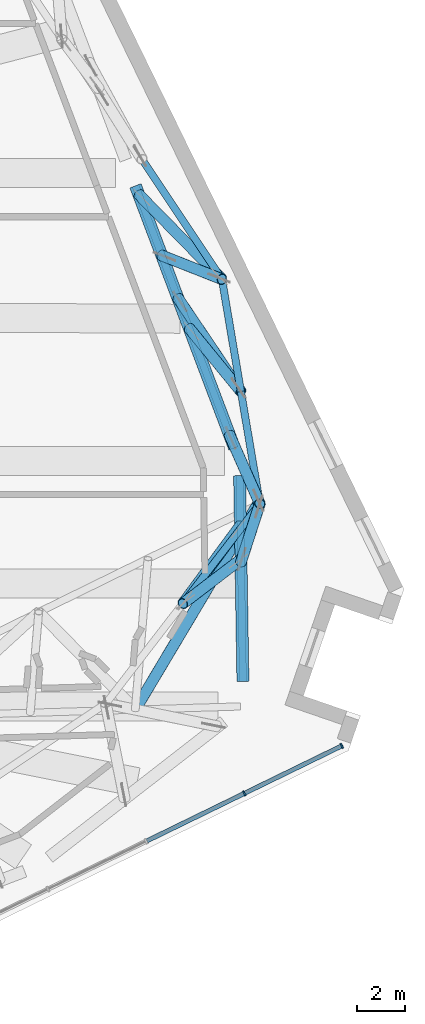
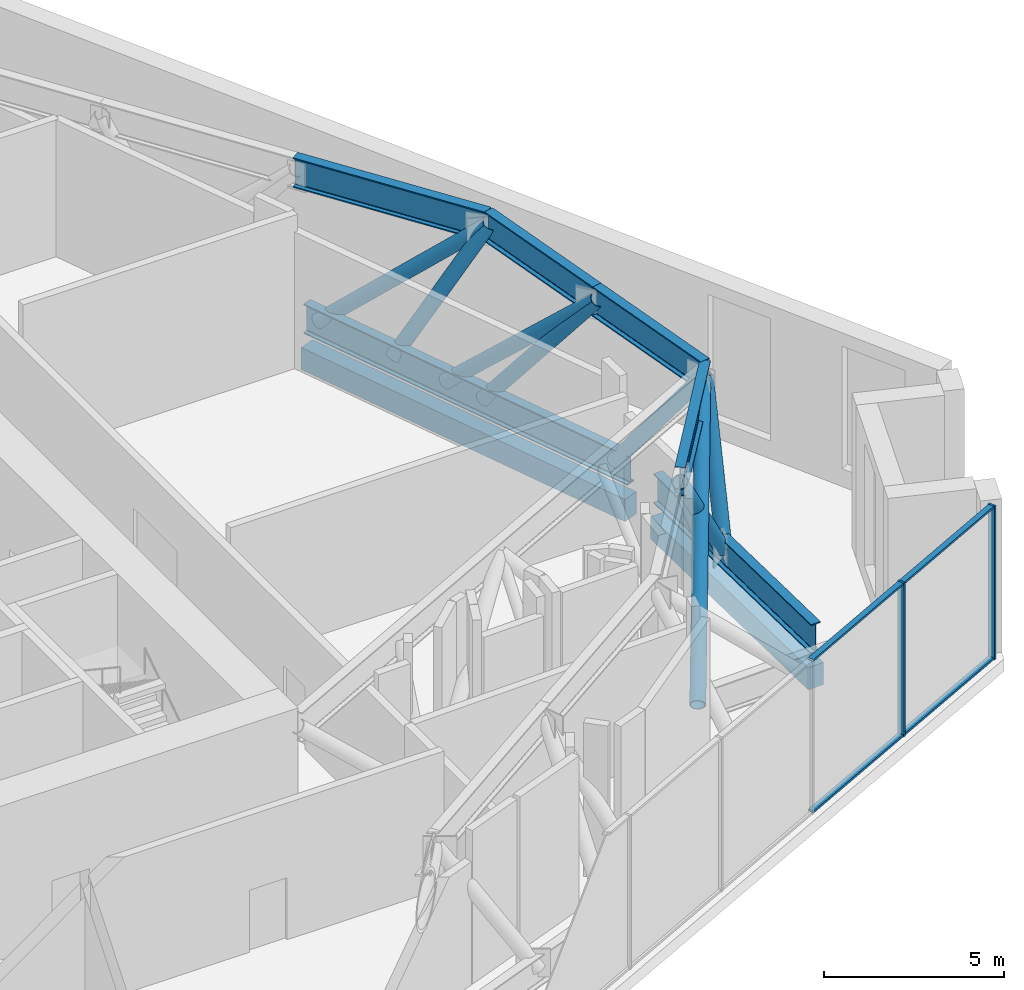
# One storey, part 7 of 21: 15 members, 8 beams, 1 element without a shape of its own.
"""IFC4 building model written with IfcOpenShell, lengths in metres."""

from ifc_helpers import new_model, si_unit, direction, frame, origin, origin_2d, place, context, subcontext, project, spatial, rectangle, hollow_circle, i_section, extrude, material, material_profile, profile_set, type_object, element, aggregate, save


model = new_model("IFC4")

# Units and contexts
model_context = context("Model", 3, precision=1e-05, world=origin(), true_north=direction((0.0, 1.0)))
body_context = subcontext(model_context, "Body", "Model", "MODEL_VIEW")
ifc_project = project(units=[si_unit("LENGTHUNIT", "METRE"), si_unit("AREAUNIT", "SQUARE_METRE"), si_unit("VOLUMEUNIT", "CUBIC_METRE"), si_unit("PLANEANGLEUNIT", "RADIAN"), si_unit("MASSUNIT", "GRAM", prefix="KILO")], contexts=[model_context])

# Site, building, storey
site_placement = place(None, origin())
site = spatial("IfcSite", under=ifc_project, at=site_placement, CompositionType="ELEMENT")
building_placement = place(site_placement, origin())
building = spatial("IfcBuilding", under=site, at=building_placement, Name="Dilmun Exchange Tower", CompositionType="ELEMENT")
storey_placement = place(building_placement, frame((0.0, 0.0, 130.10009765625)))
storey = spatial("IfcBuildingStorey", under=building, at=storey_placement, Name="L30", CompositionType="ELEMENT", Elevation=130.10009765625)

# Beams
ifc_material_1 = material(Name="Concrete C40/50", Category="concrete")
ifc_material_profile_1 = material_profile(ifc_material_1, rectangle(XDim=0.5, YDim=0.75, at=origin_2d()), Name="500 x 750")
ifc_profile_set_1 = profile_set([ifc_material_profile_1], Name="Concrete C40/50")
beam_type_1 = type_object("IfcBeamType", Name="RC ring beam 500 x 750 C40/50", PredefinedType="SPANDREL", material=ifc_profile_set_1)
beam_1_placement = place(storey_placement, frame((30.37744140625, -11.33544921875, -0.795166015625), z_axis=(-0.016054357527, 0.999871120497, 0.0), x_axis=(-0.999871120497, -0.016054357527, 0.0)))
element("IfcBeam", 1, at=beam_1_placement, inside=storey, type_object=beam_type_1, Name="Ring beam 13", PredefinedType="SPANDREL", context=body_context, shape_type="SweptSolid", body=[
    extrude(rectangle(XDim=0.5, YDim=0.75, at=origin_2d()), origin(), (0.0, 0.0, 1.0), 8.515869140625),
])
beam_2_placement = place(storey_placement, frame((30.028564453125, -1.674072265625, -0.795166015625), z_axis=(-0.353349831573, 0.935491259461, 0.0), x_axis=(-0.935491259461, -0.353349831573, 0.0)))
element("IfcBeam", 2, at=beam_2_placement, inside=storey, type_object=beam_type_1, Name="Ring beam 14", PredefinedType="SPANDREL", context=body_context, shape_type="SweptSolid", body=[
    extrude(rectangle(XDim=0.5, YDim=0.75, at=origin_2d()), origin(), (0.0, 0.0, 1.0), 11.603515625),
])

# Curtain wall, members
ifc_material_2 = material(Name="Anodised aluminium and clear glass", Category="aluminium")
curtain_wall_type = type_object("IfcCurtainWallType", Name="Sky lobby glazing", PredefinedType="NOTDEFINED", material=ifc_material_2)
curtain_wall_placement = place(storey_placement, origin())
curtain_wall = element("IfcCurtainWall", 3, at=curtain_wall_placement, inside=storey, type_object=curtain_wall_type, Name="Sky lobby glazing run SL16", PredefinedType="NOTDEFINED")
ifc_material_3 = material(Name="Anodised aluminium", Category="aluminium")
ifc_material_profile_2 = material_profile(ifc_material_3, rectangle(XDim=0.219970703125, YDim=0.070068359375, at=origin_2d()), Name="AL 70x220")
ifc_profile_set_2 = profile_set([ifc_material_profile_2], Name="Anodised aluminium")
member_type_1 = type_object("IfcMemberType", Name="Sky lobby glazing mullion 70 x 220", PredefinedType="MULLION", material=ifc_profile_set_2)
member_1_placement = place(storey_placement, frame((30.435791015625, -15.974609375, 0.0), z_axis=(0.0, 0.0, 1.0), x_axis=(-0.43837119956, 0.898794020561, 0.0)))
member_1 = element("IfcMember", 4, at=member_1_placement, type_object=member_type_1, Name="SL16 mullion 11", PredefinedType="MULLION", context=body_context, shape_type="SweptSolid", body=[
    extrude(rectangle(XDim=0.219970703125, YDim=0.070068359375, at=origin_2d()), origin(), (0.0, 0.0, 1.0), 5.199951171875),
])
member_2_placement = place(storey_placement, frame((34.469482421875, -14.007080078125, 0.0), z_axis=(0.0, 0.0, 1.0), x_axis=(-0.43837119956, 0.898794020561, 0.0)))
member_2 = element("IfcMember", 5, at=member_2_placement, type_object=member_type_1, Name="SL16 mullion 12", PredefinedType="MULLION", context=body_context, shape_type="SweptSolid", body=[
    extrude(rectangle(XDim=0.219970703125, YDim=0.070068359375, at=origin_2d()), origin(), (0.0, 0.0, 1.0), 5.199951171875),
])
ifc_material_profile_3 = material_profile(ifc_material_3, rectangle(XDim=0.179931640625, YDim=0.070068359375, at=origin_2d()), Name="AL 70x180")
ifc_profile_set_3 = profile_set([ifc_material_profile_3], Name="Anodised aluminium")
member_type_2 = type_object("IfcMemberType", Name="Sky lobby glazing transom 70 x 180", PredefinedType="USERDEFINED", material=ifc_profile_set_3)
member_3_placement = place(storey_placement, frame((26.402099609375, -17.94189453125, 0.034912109375), z_axis=(0.89879162819, 0.438376104612, 0.0), x_axis=(-0.438376104612, 0.89879162819, 0.0)))
member_3 = element("IfcMember", 6, at=member_3_placement, type_object=member_type_2, Name="SL16 transom 10.1", ObjectType="TRANSOM", PredefinedType="USERDEFINED", context=body_context, shape_type="SweptSolid", body=[
    extrude(rectangle(XDim=0.179931640625, YDim=0.070068359375, at=origin_2d()), origin(), (0.0, 0.0, 1.0), 4.453125),
])
member_4_placement = place(storey_placement, frame((26.402099609375, -17.94189453125, 5.164794921875), z_axis=(0.89879162819, 0.438376104612, 0.0), x_axis=(-0.438376104612, 0.89879162819, 0.0)))
member_4 = element("IfcMember", 7, at=member_4_placement, type_object=member_type_2, Name="SL16 transom 10.2", ObjectType="TRANSOM", PredefinedType="USERDEFINED", context=body_context, shape_type="SweptSolid", body=[
    extrude(rectangle(XDim=0.179931640625, YDim=0.070068359375, at=origin_2d()), origin(), (0.0, 0.0, 1.0), 4.453125),
])
member_5_placement = place(storey_placement, frame((30.46728515625, -15.959228515625, 0.034912109375), z_axis=(0.89878278516, 0.438394234793, 0.0), x_axis=(-0.438394234793, 0.89878278516, 0.0)))
member_5 = element("IfcMember", 8, at=member_5_placement, type_object=member_type_2, Name="SL16 transom 11.1", ObjectType="TRANSOM", PredefinedType="USERDEFINED", context=body_context, shape_type="SweptSolid", body=[
    extrude(rectangle(XDim=0.179931640625, YDim=0.070068359375, at=origin_2d()), origin(), (0.0, 0.0, 1.0), 4.41796875),
])
member_6_placement = place(storey_placement, frame((30.46728515625, -15.959228515625, 5.164794921875), z_axis=(0.89878278516, 0.438394234793, 0.0), x_axis=(-0.438394234793, 0.89878278516, 0.0)))
member_6 = element("IfcMember", 9, at=member_6_placement, type_object=member_type_2, Name="SL16 transom 11.2", ObjectType="TRANSOM", PredefinedType="USERDEFINED", context=body_context, shape_type="SweptSolid", body=[
    extrude(rectangle(XDim=0.179931640625, YDim=0.070068359375, at=origin_2d()), origin(), (0.0, 0.0, 1.0), 4.41796875),
])
aggregate(curtain_wall, [member_1, member_2, member_3, member_4, member_5, member_6])

# Beams
ifc_material_4 = material(Name="Steel S355", Category="steel")
ifc_material_profile_4 = material_profile(ifc_material_4, i_section(OverallWidth=0.300048828125, OverallDepth=1.0, WebThickness=0.01904296875, FlangeThickness=0.035888671875, FilletRadius=0.030029296875, at=origin_2d()), Name="HEB 1000")
ifc_profile_set_4 = profile_set([ifc_material_profile_4], Name="Steel S355")
beam_type_2 = type_object("IfcBeamType", Name="belt bottom chord HEB 1000", PredefinedType="BEAM", material=ifc_profile_set_4)
beam_3_placement = place(storey_placement, frame((30.37744140625, -11.33544921875, 0.5), z_axis=(-0.016054357527, 0.999871120497, 0.0), x_axis=(-0.999871120497, -0.016054357527, 0.0)))
element("IfcBeam", 10, at=beam_3_placement, inside=storey, type_object=beam_type_2, Name="Belt bottom chord 13", PredefinedType="BEAM", context=body_context, shape_type="SweptSolid", body=[
    extrude(i_section(OverallWidth=0.300048828125, OverallDepth=1.0, WebThickness=0.01904296875, FlangeThickness=0.035888671875, FilletRadius=0.030029296875, at=origin_2d()), origin(), (0.0, 0.0, 1.0), 8.515869140625),
])
beam_4_placement = place(storey_placement, frame((30.028564453125, -1.674072265625, 0.5), z_axis=(-0.353349831573, 0.935491259461, 0.0), x_axis=(-0.935491259461, -0.353349831573, 0.0)))
element("IfcBeam", 11, at=beam_4_placement, inside=storey, type_object=beam_type_2, Name="Belt bottom chord 14", PredefinedType="BEAM", context=body_context, shape_type="SweptSolid", body=[
    extrude(i_section(OverallWidth=0.300048828125, OverallDepth=1.0, WebThickness=0.01904296875, FlangeThickness=0.035888671875, FilletRadius=0.030029296875, at=origin_2d()), origin(), (0.0, 0.0, 1.0), 11.603515625),
])
ifc_material_profile_5 = material_profile(ifc_material_4, i_section(OverallWidth=0.302001953125, OverallDepth=1.008056640625, WebThickness=0.02099609375, FlangeThickness=0.0400390625, FilletRadius=0.030029296875, at=origin_2d()), Name="HEM 1000")
ifc_profile_set_5 = profile_set([ifc_material_profile_5], Name="Steel S355")
beam_type_3 = type_object("IfcBeamType", Name="transfer chord HEM 1000", PredefinedType="BEAM", material=ifc_profile_set_5)
beam_5_placement = place(storey_placement, frame((27.888916015625, -8.1201171875, 4.69580078125), z_axis=(0.610548159849, 0.791979131357, 0.0), x_axis=(-0.791979131357, 0.610548159849, 0.0)))
element("IfcBeam", 12, at=beam_5_placement, inside=storey, type_object=beam_type_3, Name="Transfer chord 24", PredefinedType="BEAM", context=body_context, shape_type="SweptSolid", body=[
    extrude(i_section(OverallWidth=0.302001953125, OverallDepth=1.008056640625, WebThickness=0.02099609375, FlangeThickness=0.0400390625, FilletRadius=0.030029296875, at=origin_2d()), origin(), (0.0, 0.0, 1.0), 5.22509765625),
])
for number, where, z_axis, x_axis, name in (
    (13, (31.0791015625, -3.98193359375, 4.69580078125), (-0.166498786046, 0.986041659488, 0.0), (-0.986041659488, -0.166498786046, 0.0), "Transfer chord 25"),
    (14, (30.29443359375, 0.6650390625, 4.69580078125), (-0.166448417276, 0.98605016322, 0.0), (-0.98605016322, -0.166448417276, 0.0), "Transfer chord 26"),
):
    element("IfcBeam", number, at=place(storey_placement, frame(where, z_axis=z_axis, x_axis=x_axis)), inside=storey, type_object=beam_type_3, Name=name, PredefinedType="BEAM", context=body_context, shape_type="SweptSolid", body=[
        extrude(i_section(OverallWidth=0.302001953125, OverallDepth=1.008056640625, WebThickness=0.02099609375, FlangeThickness=0.0400390625, FilletRadius=0.030029296875, at=origin_2d()), origin(), (0.0, 0.0, 1.0), 4.712646484375),
    ])
beam_6_placement = place(storey_placement, frame((29.510009765625, 5.31201171875, 4.69580078125), z_axis=(-0.55471905467, 0.832037721733, 0.0), x_axis=(-0.832037721733, -0.55471905467, 0.0)))
element("IfcBeam", 15, at=beam_6_placement, inside=storey, type_object=beam_type_3, Name="Transfer chord 27", PredefinedType="BEAM", context=body_context, shape_type="SweptSolid", body=[
    extrude(i_section(OverallWidth=0.302001953125, OverallDepth=1.008056640625, WebThickness=0.02099609375, FlangeThickness=0.0400390625, FilletRadius=0.030029296875, at=origin_2d()), origin(), (0.0, 0.0, 1.0), 5.97509765625),
])

# Members
ifc_material_profile_6 = material_profile(ifc_material_4, hollow_circle(Radius=0.228515625, WallThickness=0.02490234375, at=origin_2d()), Name="CHS 457x25")
ifc_profile_set_6 = profile_set([ifc_material_profile_6], Name="Steel S355")
member_type_3 = type_object("IfcMemberType", Name="truss diagonal CHS 457x25", PredefinedType="BRACE", material=ifc_profile_set_6)
member_7_placement = place(storey_placement, frame((27.888916015625, -8.1201171875, 4.69580078125), z_axis=(0.410339518256, 0.557228380508, -0.721885040511), x_axis=(-0.805228200579, 0.592965045338, 0.0)))
element("IfcMember", 16, at=member_7_placement, inside=storey, type_object=member_type_3, Name="Truss diagonal 47", PredefinedType="BRACE", context=body_context, shape_type="SweptSolid", body=[
    extrude(hollow_circle(Radius=0.228515625, WallThickness=0.02490234375, at=origin_2d()), origin(), (0.0, 0.0, 1.0), 5.812255859375),
])
member_8_placement = place(storey_placement, frame((27.888916015625, -8.1201171875, 4.69580078125), z_axis=(0.46519898955, 0.355326923161, -0.810760555157), x_axis=(-0.60700430319, 0.794698544046, 0.0)))
element("IfcMember", 17, at=member_8_placement, inside=storey, type_object=member_type_3, Name="Truss diagonal 48", PredefinedType="BRACE", context=body_context, shape_type="SweptSolid", body=[
    extrude(hollow_circle(Radius=0.228515625, WallThickness=0.02490234375, at=origin_2d()), origin(), (0.0, 0.0, 1.0), 5.175048828125),
])
member_9_placement = place(storey_placement, frame((31.0791015625, -3.98193359375, 4.69580078125), z_axis=(-0.240133696137, 0.545138075464, -0.803218704127), x_axis=(-0.915146044161, -0.403122460125, 0.0)))
element("IfcMember", 18, at=member_9_placement, inside=storey, type_object=member_type_3, Name="Truss diagonal 49", PredefinedType="BRACE", context=body_context, shape_type="SweptSolid", body=[
    extrude(hollow_circle(Radius=0.228515625, WallThickness=0.02490234375, at=origin_2d()), origin(), (0.0, 0.0, 1.0), 5.2236328125),
])
member_10_placement = place(storey_placement, frame((31.0791015625, -3.98193359375, 4.69580078125), z_axis=(-0.15930099841, -0.49214497258, -0.855813366261), x_axis=(0.951400559526, -0.307956125663, 0.0)))
element("IfcMember", 19, at=member_10_placement, inside=storey, type_object=member_type_3, Name="Truss diagonal 50", PredefinedType="BRACE", context=body_context, shape_type="SweptSolid", body=[
    extrude(hollow_circle(Radius=0.228515625, WallThickness=0.02490234375, at=origin_2d()), origin(), (0.0, 0.0, 1.0), 4.902587890625),
])
member_11_placement = place(storey_placement, frame((30.29443359375, 0.6650390625, 4.69580078125), z_axis=(-0.396734859981, 0.485321297691, -0.779143561151), x_axis=(-0.774227906258, -0.632906904032, 0.0)))
element("IfcMember", 20, at=member_11_placement, inside=storey, type_object=member_type_3, Name="Truss diagonal 51", PredefinedType="BRACE", context=body_context, shape_type="SweptSolid", body=[
    extrude(hollow_circle(Radius=0.228515625, WallThickness=0.02490234375, at=origin_2d()), origin(), (0.0, 0.0, 1.0), 5.38525390625),
])
member_12_placement = place(storey_placement, frame((30.29443359375, 0.6650390625, 4.69580078125), z_axis=(-0.416040742936, 0.617084999191, -0.667919309491), x_axis=(-0.829154876397, -0.559018954014, 0.0)))
element("IfcMember", 21, at=member_12_placement, inside=storey, type_object=member_type_3, Name="Truss diagonal 52", PredefinedType="BRACE", context=body_context, shape_type="SweptSolid", body=[
    extrude(hollow_circle(Radius=0.228515625, WallThickness=0.02490234375, at=origin_2d()), origin(), (0.0, 0.0, 1.0), 6.281982421875),
])
member_13_placement = place(storey_placement, frame((29.510009765625, 5.31201171875, 4.69580078125), z_axis=(-0.532965050017, 0.543493034225, -0.648508733333), x_axis=(-0.713988286187, -0.700157644526, 0.0)))
element("IfcMember", 22, at=member_13_placement, inside=storey, type_object=member_type_3, Name="Truss diagonal 53", PredefinedType="BRACE", context=body_context, shape_type="SweptSolid", body=[
    extrude(hollow_circle(Radius=0.228515625, WallThickness=0.02490234375, at=origin_2d()), origin(), (0.0, 0.0, 1.0), 6.469970703125),
])
member_14_placement = place(storey_placement, frame((29.510009765625, 5.31201171875, 4.69580078125), z_axis=(-0.500511354162, 0.197507028242, -0.842899376053), x_axis=(-0.367064841078, -0.93019535714, 0.0)))
element("IfcMember", 23, at=member_14_placement, inside=storey, type_object=member_type_3, Name="Truss diagonal 54", PredefinedType="BRACE", context=body_context, shape_type="SweptSolid", body=[
    extrude(hollow_circle(Radius=0.228515625, WallThickness=0.02490234375, at=origin_2d()), origin(), (0.0, 0.0, 1.0), 4.977783203125),
])
member_15_placement = place(storey_placement, frame((30.9677734375, -4.03662109375, 4.599853515625), z_axis=(-0.472623013026, -0.793215527086, -0.383974758478), x_axis=(0.859068645557, -0.511860393291, 0.0)))
element("IfcMember", 24, at=member_15_placement, inside=storey, type_object=member_type_3, Name="Outrigger diagonal 4.3", PredefinedType="BRACE", context=body_context, shape_type="SweptSolid", body=[
    extrude(hollow_circle(Radius=0.228515625, WallThickness=0.02490234375, at=origin_2d()), origin(), (0.0, 0.0, 1.0), 10.677490234375),
])

save(model, "model.ifc")
